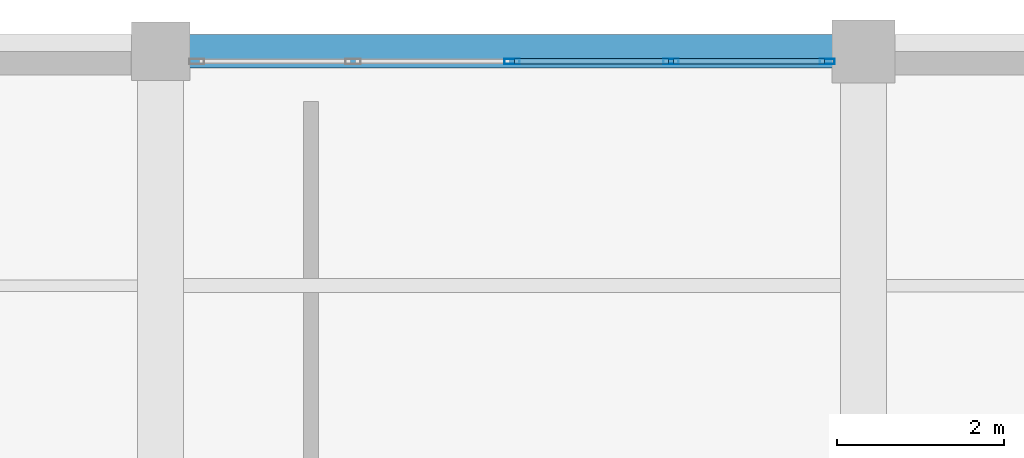
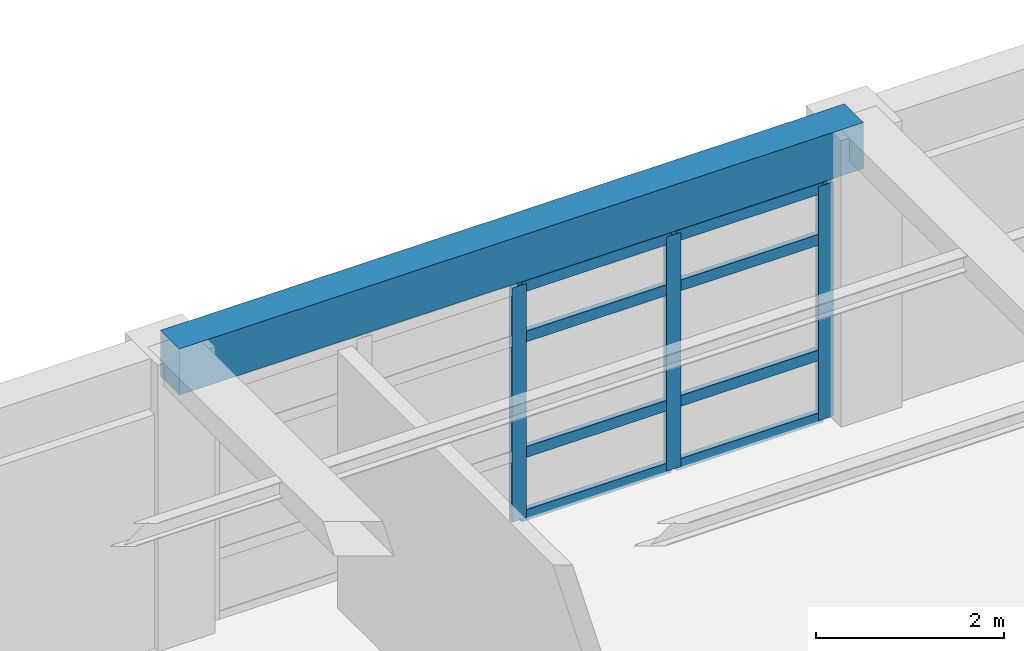
# One storey, part 24 of 31: 11 members, 1 beam, 1 element without a shape of its own.
"""IFC4 building model written with IfcOpenShell, lengths in metres."""

from ifc_helpers import new_model, si_unit, direction, frame, origin, origin_2d, place, context, subcontext, project, spatial, rectangle, hollow_rectangle, extrude, material, material_profile, profile_set, type_object, element, aggregate, save


model = new_model("IFC4")

# Units and contexts
model_context = context("Model", 3, precision=1e-05, world=origin(), true_north=direction((0.0, 1.0)))
body_context = subcontext(model_context, "Body", "Model", "MODEL_VIEW")
ifc_project = project(units=[si_unit("LENGTHUNIT", "METRE"), si_unit("AREAUNIT", "SQUARE_METRE"), si_unit("VOLUMEUNIT", "CUBIC_METRE"), si_unit("PLANEANGLEUNIT", "RADIAN"), si_unit("MASSUNIT", "GRAM", prefix="KILO")], contexts=[model_context])

# Site, building, storey
site_placement = place(None, origin())
site = spatial("IfcSite", under=ifc_project, at=site_placement, CompositionType="ELEMENT")
building_placement = place(site_placement, origin())
building = spatial("IfcBuilding", under=site, at=building_placement, Name="Almacenes y Pasaje Nevantli", CompositionType="ELEMENT")
storey_placement = place(building_placement, frame((0.0, 0.0, 34.699951171875)))
storey = spatial("IfcBuildingStorey", under=building, at=storey_placement, Name="L08", CompositionType="ELEMENT", Elevation=34.699951171875)

# Beam
ifc_material_1 = material(Name="Concrete C35/45", Category="concrete")
ifc_material_profile_1 = material_profile(ifc_material_1, rectangle(XDim=0.39990234375, YDim=0.60009765625, at=origin_2d()), Name="RC-BM-400x600")
ifc_profile_set_1 = profile_set([ifc_material_profile_1], Name="Concrete C35/45")
beam_type = type_object("IfcBeamType", Name="BM-RC-400x600", PredefinedType="SPANDREL", material=ifc_profile_set_1)
beam_placement = place(storey_placement, frame((142.800048828125, 100.800048828125, 3.420166015625), z_axis=(1.0, 0.0, 0.0), x_axis=(0.0, 1.0, 0.0)))
element("IfcBeam", 1, at=beam_placement, inside=storey, type_object=beam_type, Name="L08 East-West Reinforced Concrete Beam #3713", PredefinedType="SPANDREL", context=body_context, shape_type="SweptSolid", body=[
    extrude(rectangle(XDim=0.39990234375, YDim=0.60009765625, at=origin_2d()), origin(), (0.0, 0.0, 1.0), 8.39990234375),
])

# Curtain wall, members
ifc_material_2 = material(Name="Thermally Broken Aluminium and Low-E Glass", Category="aluminium")
curtain_wall_type = type_object("IfcCurtainWallType", Name="CW-UNIT-TOWER", PredefinedType="USERDEFINED", material=ifc_material_2)
curtain_wall_placement = place(storey_placement, origin())
curtain_wall = element("IfcCurtainWall", 2, at=curtain_wall_placement, inside=storey, type_object=curtain_wall_type, Name="L08 Tower North Boulevard Unitized Curtain Wall Bay 18", ObjectType="UNITIZED CURTAIN WALL", PredefinedType="USERDEFINED")
ifc_material_3 = material(Name="Thermally Broken Anodized Aluminium", Category="aluminium")
ifc_material_profile_2 = material_profile(ifc_material_3, hollow_rectangle(XDim=0.06494140625, YDim=0.179931640625, WallThickness=0.00390625, at=origin_2d()), Name="ALU-MUL-65x180")
ifc_profile_set_2 = profile_set([ifc_material_profile_2], Name="Thermally Broken Anodized Aluminium")
member_type_1 = type_object("IfcMemberType", Name="CW-MUL-200", PredefinedType="MULLION", material=ifc_profile_set_2)
member_1_placement = place(storey_placement, frame((147.0, 100.679931640625, 0.0), z_axis=(0.0, 0.0, 1.0), x_axis=(0.0, 1.0, 0.0)))
member_1 = element("IfcMember", 3, at=member_1_placement, type_object=member_type_1, Name="CW-L08-125 mullion 3", PredefinedType="MULLION", context=body_context, shape_type="SweptSolid", body=[
    extrude(hollow_rectangle(XDim=0.06494140625, YDim=0.179931640625, WallThickness=0.00390625, at=origin_2d()), origin(), (0.0, 0.0, 1.0), 3.0400390625),
])
member_2_placement = place(storey_placement, frame((148.89990234375, 100.679931640625, 0.0), z_axis=(0.0, 0.0, 1.0), x_axis=(0.0, 1.0, 0.0)))
member_2 = element("IfcMember", 4, at=member_2_placement, type_object=member_type_1, Name="CW-L08-125 mullion 4", PredefinedType="MULLION", context=body_context, shape_type="SweptSolid", body=[
    extrude(hollow_rectangle(XDim=0.06494140625, YDim=0.179931640625, WallThickness=0.00390625, at=origin_2d()), origin(), (0.0, 0.0, 1.0), 3.0400390625),
])
member_3_placement = place(storey_placement, frame((150.767578125, 100.679931640625, 0.0), z_axis=(0.0, 0.0, 1.0), x_axis=(0.0, 1.0, 0.0)))
member_3 = element("IfcMember", 5, at=member_3_placement, type_object=member_type_1, Name="CW-L08-125 mullion 5", PredefinedType="MULLION", context=body_context, shape_type="SweptSolid", body=[
    extrude(hollow_rectangle(XDim=0.06494140625, YDim=0.179931640625, WallThickness=0.00390625, at=origin_2d()), origin(), (0.0, 0.0, 1.0), 3.0400390625),
])
ifc_material_4 = material(Name="Thermally Broken Anodized Aluminium", Category="aluminium")
ifc_material_profile_3 = material_profile(ifc_material_4, hollow_rectangle(XDim=0.06494140625, YDim=0.139892578125, WallThickness=0.00390625, at=origin_2d()), Name="ALU-TRN-65x140")
ifc_profile_set_3 = profile_set([ifc_material_profile_3], Name="Thermally Broken Anodized Aluminium")
member_type_2 = type_object("IfcMemberType", Name="CW-TRN-150", PredefinedType="USERDEFINED", material=ifc_profile_set_3)
member_4_placement = place(storey_placement, frame((147.032470703125, 100.679931640625, 0.032470703125), z_axis=(1.0, 0.0, 0.0), x_axis=(0.0, 1.0, 0.0)))
member_4 = element("IfcMember", 6, at=member_4_placement, type_object=member_type_2, Name="CW-L08-125 transom 3.1", ObjectType="TRANSOM", PredefinedType="USERDEFINED", context=body_context, shape_type="SweptSolid", body=[
    extrude(hollow_rectangle(XDim=0.06494140625, YDim=0.139892578125, WallThickness=0.00390625, at=origin_2d()), origin(), (0.0, 0.0, 1.0), 1.8349609375),
])
member_5_placement = place(storey_placement, frame((147.032470703125, 100.679931640625, 0.85009765625), z_axis=(1.0, 0.0, 0.0), x_axis=(0.0, 1.0, 0.0)))
member_5 = element("IfcMember", 7, at=member_5_placement, type_object=member_type_2, Name="CW-L08-125 transom 3.2", ObjectType="TRANSOM", PredefinedType="USERDEFINED", context=body_context, shape_type="SweptSolid", body=[
    extrude(hollow_rectangle(XDim=0.06494140625, YDim=0.139892578125, WallThickness=0.00390625, at=origin_2d()), origin(), (0.0, 0.0, 1.0), 1.8349609375),
])
member_6_placement = place(storey_placement, frame((147.032470703125, 100.679931640625, 2.35009765625), z_axis=(1.0, 0.0, 0.0), x_axis=(0.0, 1.0, 0.0)))
member_6 = element("IfcMember", 8, at=member_6_placement, type_object=member_type_2, Name="CW-L08-125 transom 3.3", ObjectType="TRANSOM", PredefinedType="USERDEFINED", context=body_context, shape_type="SweptSolid", body=[
    extrude(hollow_rectangle(XDim=0.06494140625, YDim=0.139892578125, WallThickness=0.00390625, at=origin_2d()), origin(), (0.0, 0.0, 1.0), 1.8349609375),
])
member_7_placement = place(storey_placement, frame((147.032470703125, 100.679931640625, 3.007568359375), z_axis=(1.0, 0.0, 0.0), x_axis=(0.0, 1.0, 0.0)))
member_7 = element("IfcMember", 9, at=member_7_placement, type_object=member_type_2, Name="CW-L08-125 transom 3.4", ObjectType="TRANSOM", PredefinedType="USERDEFINED", context=body_context, shape_type="SweptSolid", body=[
    extrude(hollow_rectangle(XDim=0.06494140625, YDim=0.139892578125, WallThickness=0.00390625, at=origin_2d()), origin(), (0.0, 0.0, 1.0), 1.8349609375),
])
member_8_placement = place(storey_placement, frame((148.9326171875, 100.679931640625, 0.032470703125), z_axis=(1.0, 0.0, 0.0), x_axis=(0.0, 1.0, 0.0)))
member_8 = element("IfcMember", 10, at=member_8_placement, type_object=member_type_2, Name="CW-L08-125 transom 4.1", ObjectType="TRANSOM", PredefinedType="USERDEFINED", context=body_context, shape_type="SweptSolid", body=[
    extrude(hollow_rectangle(XDim=0.06494140625, YDim=0.139892578125, WallThickness=0.00390625, at=origin_2d()), origin(), (0.0, 0.0, 1.0), 1.802490234375),
])
member_9_placement = place(storey_placement, frame((148.9326171875, 100.679931640625, 0.85009765625), z_axis=(1.0, 0.0, 0.0), x_axis=(0.0, 1.0, 0.0)))
member_9 = element("IfcMember", 11, at=member_9_placement, type_object=member_type_2, Name="CW-L08-125 transom 4.2", ObjectType="TRANSOM", PredefinedType="USERDEFINED", context=body_context, shape_type="SweptSolid", body=[
    extrude(hollow_rectangle(XDim=0.06494140625, YDim=0.139892578125, WallThickness=0.00390625, at=origin_2d()), origin(), (0.0, 0.0, 1.0), 1.802490234375),
])
member_10_placement = place(storey_placement, frame((148.9326171875, 100.679931640625, 2.35009765625), z_axis=(1.0, 0.0, 0.0), x_axis=(0.0, 1.0, 0.0)))
member_10 = element("IfcMember", 12, at=member_10_placement, type_object=member_type_2, Name="CW-L08-125 transom 4.3", ObjectType="TRANSOM", PredefinedType="USERDEFINED", context=body_context, shape_type="SweptSolid", body=[
    extrude(hollow_rectangle(XDim=0.06494140625, YDim=0.139892578125, WallThickness=0.00390625, at=origin_2d()), origin(), (0.0, 0.0, 1.0), 1.802490234375),
])
member_11_placement = place(storey_placement, frame((148.9326171875, 100.679931640625, 3.007568359375), z_axis=(1.0, 0.0, 0.0), x_axis=(0.0, 1.0, 0.0)))
member_11 = element("IfcMember", 13, at=member_11_placement, type_object=member_type_2, Name="CW-L08-125 transom 4.4", ObjectType="TRANSOM", PredefinedType="USERDEFINED", context=body_context, shape_type="SweptSolid", body=[
    extrude(hollow_rectangle(XDim=0.06494140625, YDim=0.139892578125, WallThickness=0.00390625, at=origin_2d()), origin(), (0.0, 0.0, 1.0), 1.802490234375),
])
aggregate(curtain_wall, [member_1, member_2, member_3, member_4, member_5, member_6, member_7, member_8, member_9, member_10, member_11])

save(model, "model.ifc")
